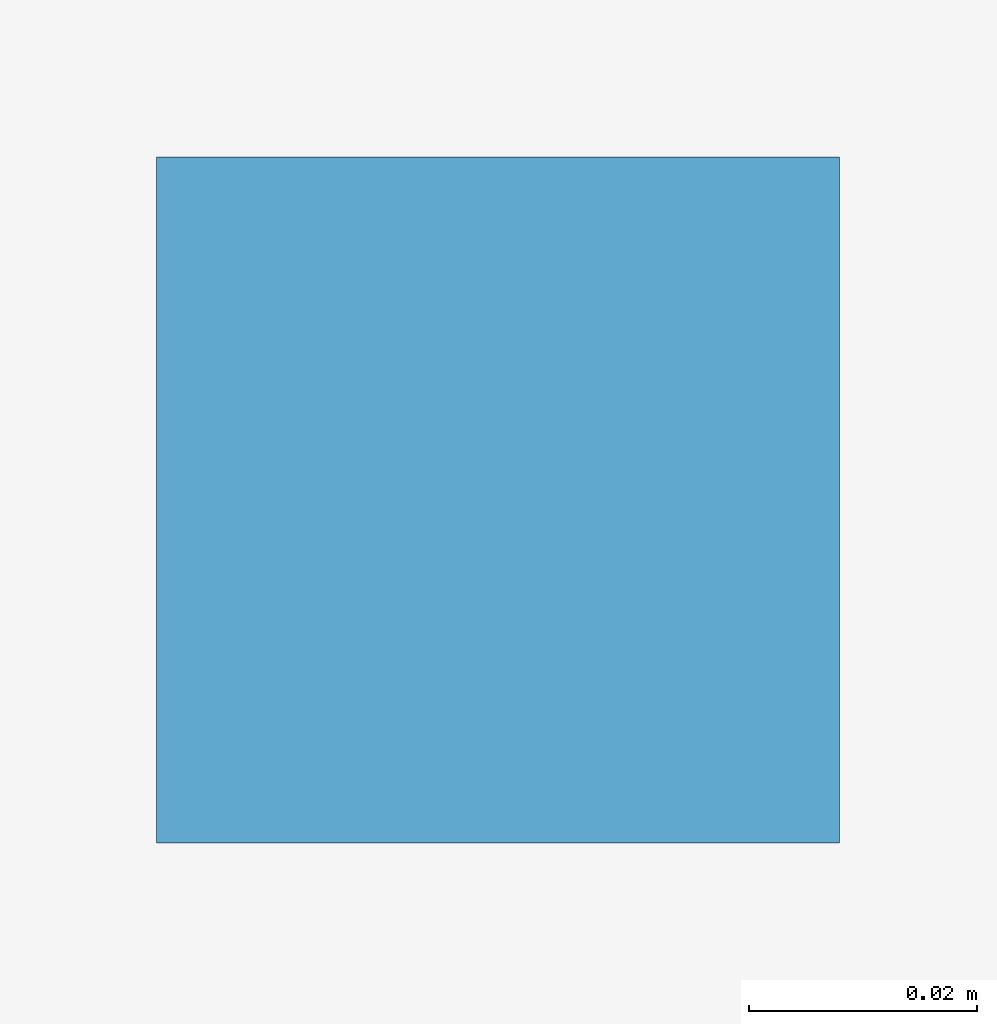
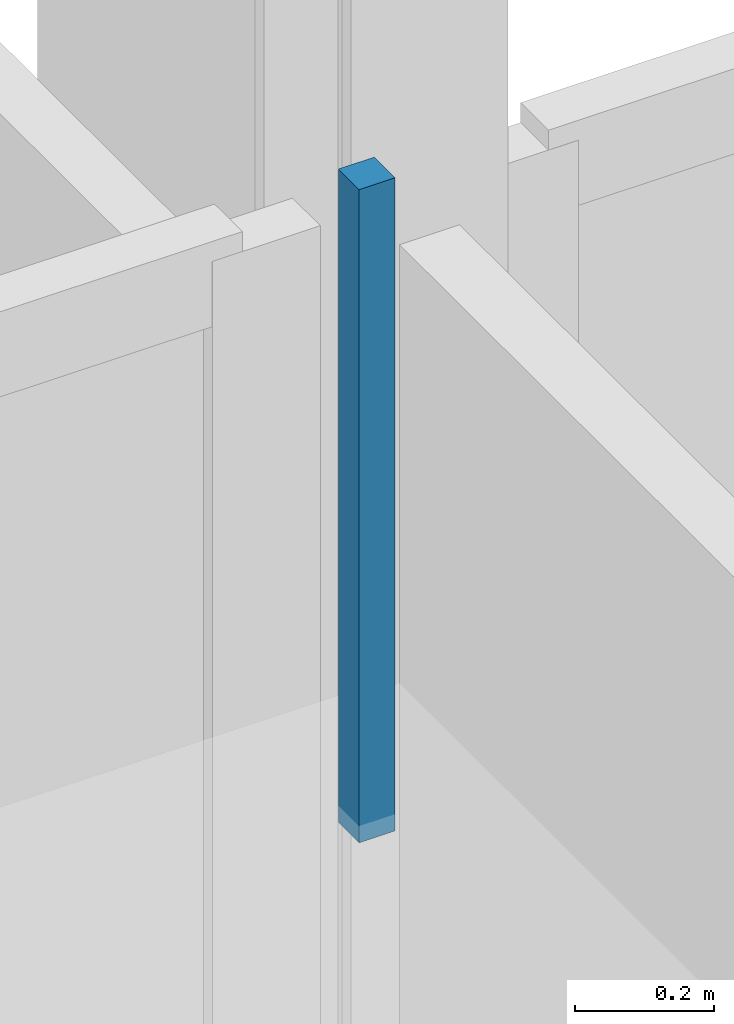
# One storey, part 69 of 93: 1 discrete accessory.
"""IFC4 building model written with IfcOpenShell, lengths in metres."""

from ifc_helpers import new_model, si_unit, direction, frame, origin, place, context, subcontext, project, spatial, polyline, outline, extrude, material, type_object, element, save


model = new_model("IFC4")

# Units and contexts
model_context = context("Model", 3, precision=1e-05, world=origin(), true_north=direction((0.0, 1.0)))
body_context = subcontext(model_context, "Body", "Model", "MODEL_VIEW")
ifc_project = project(units=[si_unit("LENGTHUNIT", "METRE"), si_unit("AREAUNIT", "SQUARE_METRE"), si_unit("VOLUMEUNIT", "CUBIC_METRE"), si_unit("PLANEANGLEUNIT", "RADIAN"), si_unit("MASSUNIT", "GRAM", prefix="KILO")], contexts=[model_context])

# Site, building, storey
site_placement = place(None, origin())
site = spatial("IfcSite", under=ifc_project, at=site_placement, CompositionType="ELEMENT")
building_placement = place(site_placement, origin())
building = spatial("IfcBuilding", under=site, at=building_placement, Name="Dunescarp Central Library", CompositionType="ELEMENT")
storey_placement = place(building_placement, frame((0.0, 0.0, 14.10009765625)))
storey = spatial("IfcBuildingStorey", under=building, at=storey_placement, Name="L03", CompositionType="ELEMENT", Elevation=14.10009765625)

# Discrete accessory
ifc_material = material(Name="Stainless steel Grade 316L", Category="steel")
discrete_accessory_type = type_object("IfcDiscreteAccessoryType", Name="ARC-ACC-BRK", PredefinedType="BRACKET", material=ifc_material)
discrete_accessory_placement = place(storey_placement, frame((0.0, 0.0, 3.059814453125)))
element("IfcDiscreteAccessory", 1, at=discrete_accessory_placement, inside=storey, type_object=discrete_accessory_type, Name="L03 ceiling hanger CLG-L03-073-H2", PredefinedType="BRACKET", context=body_context, shape_type="SweptSolid", body=[
    extrude(outline(polyline([(57.320068359375, 36.3798828125), (57.3798828125, 36.3798828125), (57.3798828125, 36.43994140625), (57.320068359375, 36.43994140625), (57.320068359375, 36.3798828125)])), origin(), (0.0, 0.0, 1.0), 1.150146484375),
])

save(model, "model.ifc")
